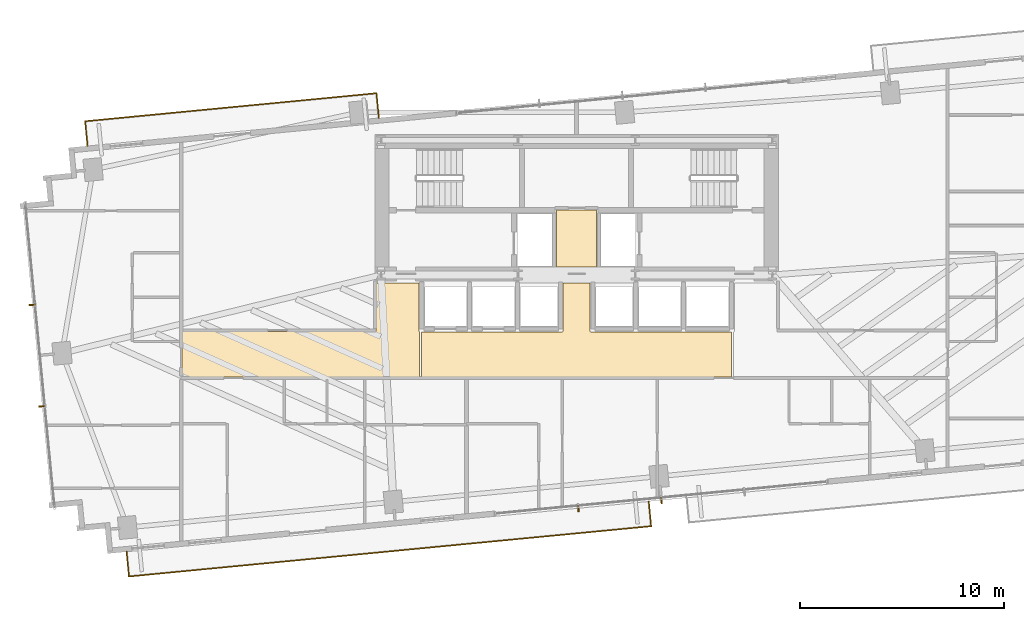
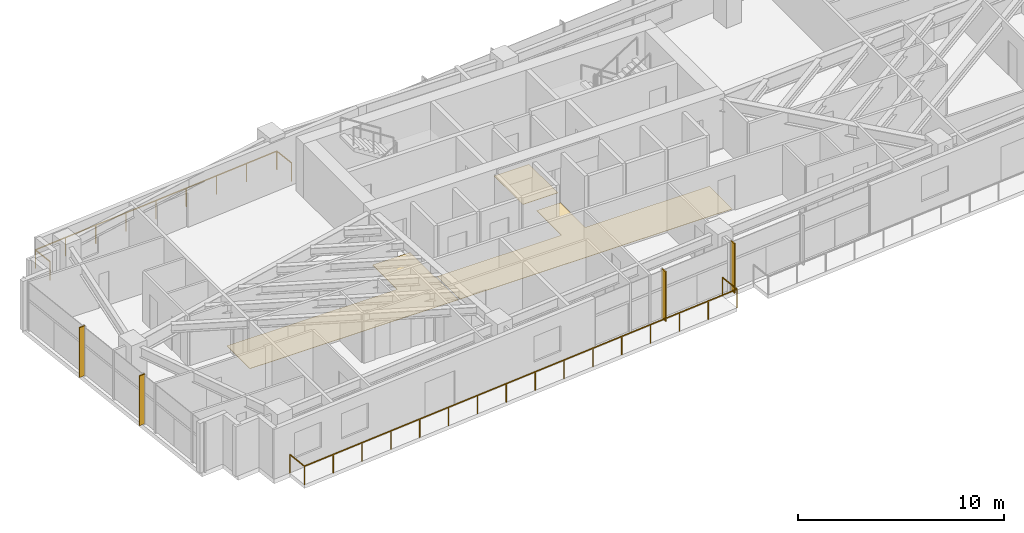
# One storey, part 23 of 25: 4 shading devices, 3 coverings, 2 railings.
"""IFC4 building model written with IfcOpenShell, lengths in metres."""

from ifc_helpers import new_model, si_unit, direction, frame, origin, origin_2d, place, context, subcontext, project, spatial, polyline, rectangle, outline, extrude, source, transform, mapped, material, layer, layer_set, type_object, type_shapes, element, save


model = new_model("IFC4")

# Units and contexts
model_context = context("Model", 3, precision=1e-05, world=origin(), true_north=direction((0.0, 1.0)))
body_context = subcontext(model_context, "Body", "Model", "MODEL_VIEW")
ifc_project = project(units=[si_unit("LENGTHUNIT", "METRE"), si_unit("AREAUNIT", "SQUARE_METRE"), si_unit("VOLUMEUNIT", "CUBIC_METRE"), si_unit("PLANEANGLEUNIT", "RADIAN"), si_unit("MASSUNIT", "GRAM", prefix="KILO")], contexts=[model_context])

# Site, building, storey
site_placement = place(None, origin())
site = spatial("IfcSite", under=ifc_project, at=site_placement, CompositionType="ELEMENT")
building_placement = place(site_placement, origin())
building = spatial("IfcBuilding", under=site, at=building_placement, Name="Astriad Promenade Condominiums", CompositionType="ELEMENT")
storey_placement = place(building_placement, frame((0.0, 0.0, 81.0)))
storey = spatial("IfcBuildingStorey", under=building, at=storey_placement, Name="L22", CompositionType="ELEMENT", Elevation=81.0)

# Coverings
ifc_material_1 = material(Name="Polished Lakefront Terrazzo Flooring")
ifc_layer = layer(ifc_material_1, 0.02001953125)
ifc_layer_set = layer_set([ifc_layer], Name="Polished Lakefront Terrazzo Flooring")
covering_type = type_object("IfcCoveringType", Name="COV-FLOR-TERRAZZO-20", PredefinedType="FLOORING", material=ifc_layer_set)
covering_1_placement = place(storey_placement, origin())
element("IfcCovering", 1, at=covering_1_placement, inside=storey, type_object=covering_type, Name="FLR-L22-CSL", PredefinedType="FLOORING", context=body_context, shape_type="SweptSolid", body=[
    extrude(outline(polyline([(36.97998046875, 17.7900390625), (35.02001953125, 17.7900390625), (35.02001953125, 20.580078125), (36.97998046875, 20.580078125), (36.97998046875, 17.7900390625)])), origin(), (0.0, 0.0, 1.0), 0.02001953125),
])
covering_2_placement = place(storey_placement, origin())
element("IfcCovering", 2, at=covering_2_placement, inside=storey, type_object=covering_type, Name="FLR-L22-LLB", PredefinedType="FLOORING", context=body_context, shape_type="SweptSolid", body=[
    extrude(outline(polyline([(43.610107421875, 14.610107421875), (43.610107421875, 12.389892578125), (28.389892578125, 12.389892578125), (28.389892578125, 14.610107421875), (35.300048828125, 14.610107421875), (35.303955078125, 14.610107421875), (35.307861328125, 14.61083984375), (35.3115234375, 14.61181640625), (35.315185546875, 14.613037109375), (35.31884765625, 14.61474609375), (35.322265625, 14.61669921875), (35.325439453125, 14.619140625), (35.328369140625, 14.62158203125), (35.330810546875, 14.62451171875), (35.333251953125, 14.627685546875), (35.335205078125, 14.631103515625), (35.3369140625, 14.634765625), (35.33837890625, 14.638427734375), (35.339111328125, 14.64208984375), (35.33984375, 14.64599609375), (35.340087890625, 14.64990234375), (35.340087890625, 17.010009765625), (36.659912109375, 17.010009765625), (36.659912109375, 14.64990234375), (36.66015625, 14.64599609375), (36.660888671875, 14.64208984375), (36.66162109375, 14.638427734375), (36.6630859375, 14.634765625), (36.664794921875, 14.631103515625), (36.666748046875, 14.627685546875), (36.669189453125, 14.62451171875), (36.671630859375, 14.62158203125), (36.674560546875, 14.619140625), (36.677734375, 14.61669921875), (36.68115234375, 14.61474609375), (36.684814453125, 14.613037109375), (36.6884765625, 14.61181640625), (36.692138671875, 14.61083984375), (36.696044921875, 14.610107421875), (36.699951171875, 14.610107421875), (43.610107421875, 14.610107421875)])), origin(), (0.0, 0.0, 1.0), 0.02001953125),
])
covering_3_placement = place(storey_placement, origin())
element("IfcCovering", 3, at=covering_3_placement, inside=storey, type_object=covering_type, Name="FLR-L22-COR-2", PredefinedType="FLOORING", context=body_context, shape_type="SweptSolid", body=[
    extrude(outline(polyline([(28.300048828125, 12.389892578125), (16.639892578125, 12.389892578125), (16.639892578125, 14.6201171875), (26.1201171875, 14.6201171875), (26.123779296875, 14.6201171875), (26.127685546875, 14.620849609375), (26.131591796875, 14.62158203125), (26.13525390625, 14.623046875), (26.138916015625, 14.624755859375), (26.14208984375, 14.626708984375), (26.1455078125, 14.629150390625), (26.148193359375, 14.631591796875), (26.15087890625, 14.634521484375), (26.1533203125, 14.6376953125), (26.1552734375, 14.64111328125), (26.156982421875, 14.644775390625), (26.158203125, 14.6484375), (26.1591796875, 14.652099609375), (26.159912109375, 14.656005859375), (26.159912109375, 14.659912109375), (26.159912109375, 17.010009765625), (28.260009765625, 17.010009765625), (28.260009765625, 14.64990234375), (28.26025390625, 14.64599609375), (28.2607421875, 14.64208984375), (28.26171875, 14.638427734375), (28.262939453125, 14.634765625), (28.2646484375, 14.631103515625), (28.2666015625, 14.627685546875), (28.26904296875, 14.62451171875), (28.271728515625, 14.62158203125), (28.274658203125, 14.619140625), (28.27783203125, 14.61669921875), (28.281005859375, 14.61474609375), (28.28466796875, 14.613037109375), (28.288330078125, 14.61181640625), (28.292236328125, 14.61083984375), (28.296142578125, 14.610107421875), (28.300048828125, 14.610107421875), (28.300048828125, 12.389892578125)])), origin(), (0.0, 0.0, 1.0), 0.02001953125),
])

# Shading devices
ifc_material_2 = material(Name="Anodised aluminium 6063-T6 Black Fin", Category="aluminium")
shading_device_type = type_object("IfcShadingDeviceType", Name="FIN-BLACK-320", PredefinedType="USERDEFINED", material=ifc_material_2)
shared_shape_1 = source(origin(), body_context, "Body", "SweptSolid", [
    extrude(rectangle(XDim=0.06494140625, YDim=0.320068359375, at=origin_2d()), origin(), (0.0, 0.0, 1.0), 2.93994140625),
])
type_shapes(shading_device_type, [shared_shape_1])
for number, where, z_axis, x_axis, name in (
    (4, (9.766845703125, 10.954345703125, 0.0), (0.0, 0.0, 1.0), (-0.09584575252, 0.995396198367, 0.0), "CW-L22-W-FIN-01"),
    (5, (9.28759765625, 15.931396484375, 0.0), (0.0, 0.0, 1.0), (-0.09584575252, 0.995396198367, 0.0), "CW-L22-W-FIN-02"),
    (6, (40.159423828125, 6.3359375, 0.0), (0.0, 0.0, 1.0), (-0.995396198367, -0.09584575252, 0.0), "CW-L22-S-FIN-02"),
    (7, (36.083251953125, 5.943603515625, 0.0), (0.0, 0.0, 1.0), (-0.995396198367, -0.09584575252, 0.0), "CW-L22-S-FIN-03"),
):
    element("IfcShadingDevice", number, at=place(storey_placement, frame(where, z_axis=z_axis, x_axis=x_axis)), inside=storey, type_object=shading_device_type, Name=name, ObjectType="FIN", PredefinedType="USERDEFINED", context=body_context, shape_type="MappedRepresentation", body=[
        mapped(shared_shape_1, transform((0.0, 0.0, 0.0), scale=1.0)),
    ])

# Railings
ifc_material_3 = material(Name="Laminated Glass and Stainless Steel Balustrade", Category="steel")
railing_type = type_object("IfcRailingType", Name="GRD-BALC-1120", PredefinedType="BALUSTRADE", material=ifc_material_3)
shared_shape_2 = source(origin(), body_context, "Body", "SweptSolid", [
    extrude(rectangle(XDim=0.048095703125, YDim=0.048095703125, at=origin_2d()), frame((0.0, 0.0, 1.09619140625), z_axis=(0.096055582315, -0.995375971734, 0.0), x_axis=(0.995375971734, 0.096055582315, 0.0)), (0.0, 0.0, 1.0), 1.219970703125),
    extrude(rectangle(XDim=0.048095703125, YDim=0.048095703125, at=origin_2d()), frame((0.1171875, -1.21435546875, 1.09619140625), z_axis=(0.995395550248, 0.095852483254, 0.0), x_axis=(-0.095852483254, 0.995395550248, 0.0)), (0.0, 0.0, 1.0), 25.73779296875),
    extrude(rectangle(XDim=0.048095703125, YDim=0.048095703125, at=origin_2d()), frame((25.736572265625, 1.252685546875, 1.09619140625), z_axis=(-0.095857307208, 0.99539508571, 0.0), x_axis=(-0.99539508571, -0.095857307208, 0.0)), (0.0, 0.0, 1.0), 1.219970703125),
    extrude(rectangle(XDim=0.0419921875, YDim=0.0419921875, at=origin_2d()), origin(), (0.0, 0.0, 1.0), 1.072021484375),
    extrude(rectangle(XDim=0.0419921875, YDim=0.0419921875, at=origin_2d()), frame((0.1171875, -1.21435546875, 0.0)), (0.0, 0.0, 1.0), 1.072021484375),
    extrude(rectangle(XDim=0.0419921875, YDim=0.0419921875, at=origin_2d()), frame((1.8251953125, -1.0498046875, 0.0)), (0.0, 0.0, 1.0), 1.072021484375),
    extrude(rectangle(XDim=0.0419921875, YDim=0.0419921875, at=origin_2d()), frame((3.533203125, -0.885498046875, 0.0)), (0.0, 0.0, 1.0), 1.072021484375),
    extrude(rectangle(XDim=0.0419921875, YDim=0.0419921875, at=origin_2d()), frame((5.240966796875, -0.720947265625, 0.0)), (0.0, 0.0, 1.0), 1.072021484375),
    extrude(rectangle(XDim=0.0419921875, YDim=0.0419921875, at=origin_2d()), frame((6.948974609375, -0.556396484375, 0.0)), (0.0, 0.0, 1.0), 1.072021484375),
    extrude(rectangle(XDim=0.0419921875, YDim=0.0419921875, at=origin_2d()), frame((8.656982421875, -0.39208984375, 0.0)), (0.0, 0.0, 1.0), 1.072021484375),
    extrude(rectangle(XDim=0.0419921875, YDim=0.0419921875, at=origin_2d()), frame((10.364990234375, -0.2275390625, 0.0)), (0.0, 0.0, 1.0), 1.072021484375),
    extrude(rectangle(XDim=0.0419921875, YDim=0.0419921875, at=origin_2d()), frame((12.072998046875, -0.06298828125, 0.0)), (0.0, 0.0, 1.0), 1.072021484375),
    extrude(rectangle(XDim=0.0419921875, YDim=0.0419921875, at=origin_2d()), frame((13.78076171875, 0.101318359375, 0.0)), (0.0, 0.0, 1.0), 1.072021484375),
    extrude(rectangle(XDim=0.0419921875, YDim=0.0419921875, at=origin_2d()), frame((15.48876953125, 0.265869140625, 0.0)), (0.0, 0.0, 1.0), 1.072021484375),
    extrude(rectangle(XDim=0.0419921875, YDim=0.0419921875, at=origin_2d()), frame((17.19677734375, 0.430419921875, 0.0)), (0.0, 0.0, 1.0), 1.072021484375),
    extrude(rectangle(XDim=0.0419921875, YDim=0.0419921875, at=origin_2d()), frame((18.90478515625, 0.5947265625, 0.0)), (0.0, 0.0, 1.0), 1.072021484375),
    extrude(rectangle(XDim=0.0419921875, YDim=0.0419921875, at=origin_2d()), frame((20.61279296875, 0.75927734375, 0.0)), (0.0, 0.0, 1.0), 1.072021484375),
    extrude(rectangle(XDim=0.0419921875, YDim=0.0419921875, at=origin_2d()), frame((22.320556640625, 0.923828125, 0.0)), (0.0, 0.0, 1.0), 1.072021484375),
    extrude(rectangle(XDim=0.0419921875, YDim=0.0419921875, at=origin_2d()), frame((24.028564453125, 1.088134765625, 0.0)), (0.0, 0.0, 1.0), 1.072021484375),
    extrude(rectangle(XDim=0.0419921875, YDim=0.0419921875, at=origin_2d()), frame((25.736572265625, 1.252685546875, 0.0)), (0.0, 0.0, 1.0), 1.072021484375),
    extrude(rectangle(XDim=0.0419921875, YDim=0.0419921875, at=origin_2d()), frame((25.61962890625, 2.467041015625, 0.0)), (0.0, 0.0, 1.0), 1.072021484375),
])
railing_1_placement = place(storey_placement, frame((13.918701171875, 3.8193359375, 0.0)))
element("IfcRailing", 8, at=railing_1_placement, inside=storey, type_object=railing_type, Name="GRD-BALC-L22-SW", PredefinedType="BALUSTRADE", context=body_context, shape_type="MappedRepresentation", body=[
    mapped(shared_shape_2, transform((0.0, 0.0, 0.0), scale=1.0)),
])
shared_shape_3 = source(origin(), body_context, "Body", "SweptSolid", [
    extrude(rectangle(XDim=0.048095703125, YDim=0.048095703125, at=origin_2d()), frame((0.0, 0.0, 1.09619140625), z_axis=(-0.095857307208, 0.99539508571, 0.0), x_axis=(-0.99539508571, -0.095857307208, 0.0)), (0.0, 0.0, 1.0), 1.219970703125),
    extrude(rectangle(XDim=0.048095703125, YDim=0.048095703125, at=origin_2d()), frame((-0.116943359375, 1.21435546875, 1.09619140625), z_axis=(-0.995397684475, -0.095830317451, 0.0), x_axis=(0.095830317451, -0.995397684475, 0.0)), (0.0, 0.0, 1.0), 14.361083984375),
    extrude(rectangle(XDim=0.048095703125, YDim=0.048095703125, at=origin_2d()), frame((-14.411865234375, -0.161865234375, 1.09619140625), z_axis=(0.0958382164, -0.995396923984, 0.0), x_axis=(0.995396923984, 0.0958382164, 0.0)), (0.0, 0.0, 1.0), 1.22021484375),
    extrude(rectangle(XDim=0.0419921875, YDim=0.0419921875, at=origin_2d()), origin(), (0.0, 0.0, 1.0), 1.072021484375),
    extrude(rectangle(XDim=0.0419921875, YDim=0.0419921875, at=origin_2d()), frame((-0.116943359375, 1.21435546875, 0.0)), (0.0, 0.0, 1.0), 1.072021484375),
    extrude(rectangle(XDim=0.0419921875, YDim=0.0419921875, at=origin_2d()), frame((-1.90380859375, 1.042236328125, 0.0)), (0.0, 0.0, 1.0), 1.072021484375),
    extrude(rectangle(XDim=0.0419921875, YDim=0.0419921875, at=origin_2d()), frame((-3.690673828125, 0.870361328125, 0.0)), (0.0, 0.0, 1.0), 1.072021484375),
    extrude(rectangle(XDim=0.0419921875, YDim=0.0419921875, at=origin_2d()), frame((-5.4775390625, 0.6982421875, 0.0)), (0.0, 0.0, 1.0), 1.072021484375),
    extrude(rectangle(XDim=0.0419921875, YDim=0.0419921875, at=origin_2d()), frame((-7.264404296875, 0.5263671875, 0.0)), (0.0, 0.0, 1.0), 1.072021484375),
    extrude(rectangle(XDim=0.0419921875, YDim=0.0419921875, at=origin_2d()), frame((-9.05126953125, 0.354248046875, 0.0)), (0.0, 0.0, 1.0), 1.072021484375),
    extrude(rectangle(XDim=0.0419921875, YDim=0.0419921875, at=origin_2d()), frame((-10.838134765625, 0.18212890625, 0.0)), (0.0, 0.0, 1.0), 1.072021484375),
    extrude(rectangle(XDim=0.0419921875, YDim=0.0419921875, at=origin_2d()), frame((-12.625, 0.01025390625, 0.0)), (0.0, 0.0, 1.0), 1.072021484375),
    extrude(rectangle(XDim=0.0419921875, YDim=0.0419921875, at=origin_2d()), frame((-14.411865234375, -0.161865234375, 0.0)), (0.0, 0.0, 1.0), 1.072021484375),
    extrude(rectangle(XDim=0.0419921875, YDim=0.0419921875, at=origin_2d()), frame((-14.294921875, -1.37646484375, 0.0)), (0.0, 0.0, 1.0), 1.072021484375),
])
type_shapes(railing_type, [shared_shape_2, shared_shape_3])
railing_2_placement = place(storey_placement, frame((26.296875, 25.103759765625, 0.0)))
element("IfcRailing", 9, at=railing_2_placement, inside=storey, type_object=railing_type, Name="GRD-BALC-L22-NW", PredefinedType="BALUSTRADE", context=body_context, shape_type="MappedRepresentation", body=[
    mapped(shared_shape_3, transform((0.0, 0.0, 0.0), scale=1.0)),
])

save(model, "model.ifc")
